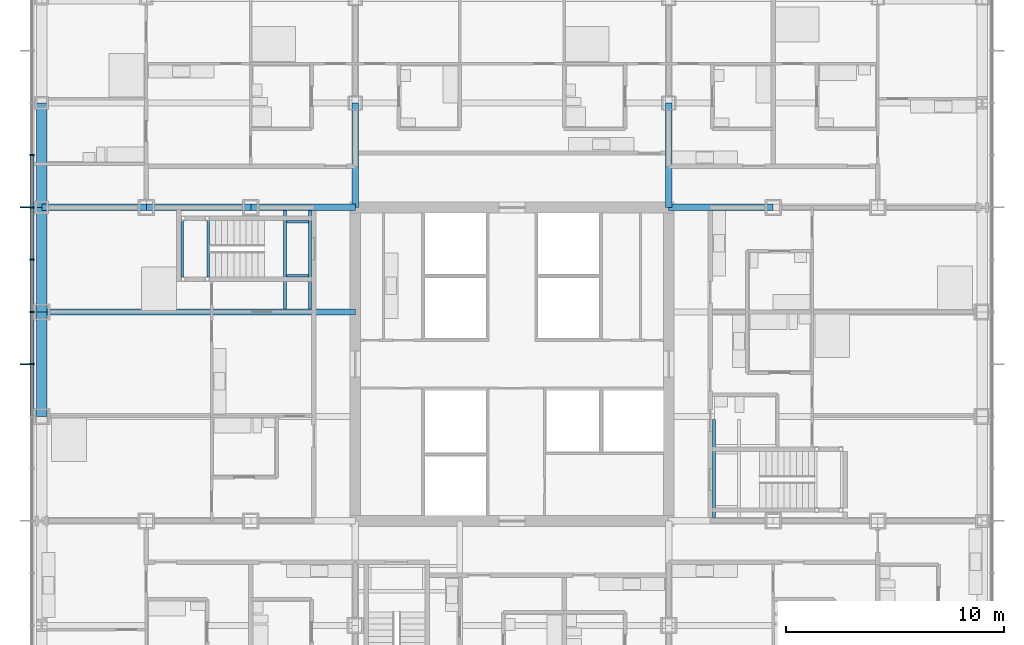
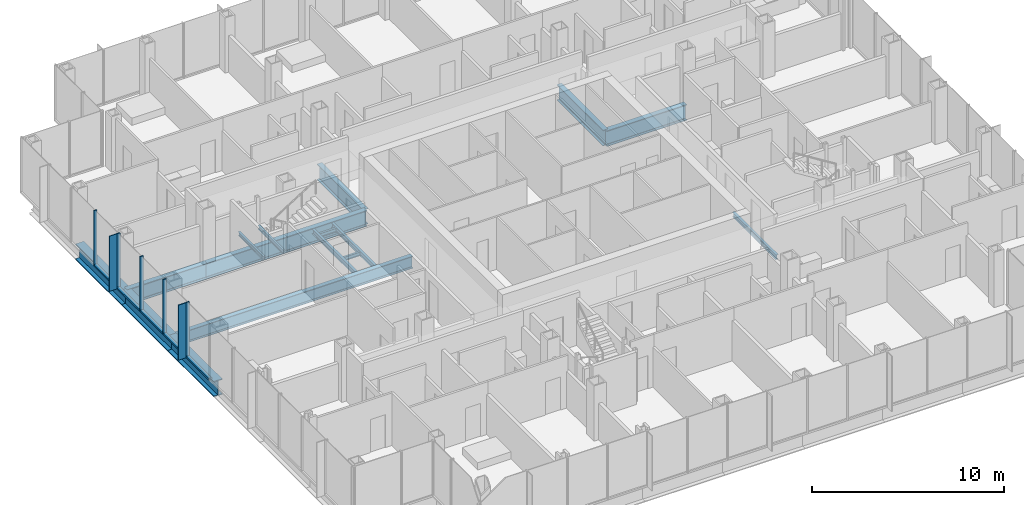
# One storey, part 8 of 21: 17 beams, 12 members, 1 element without a shape of its own.
"""IFC4 building model written with IfcOpenShell, lengths in metres."""

from ifc_helpers import new_model, si_unit, direction, frame, origin, origin_2d, place, context, subcontext, project, spatial, rectangle, i_section, extrude, material, material_profile, profile_set, type_object, element, aggregate, save


model = new_model("IFC4")

# Units and contexts
model_context = context("Model", 3, precision=1e-05, world=origin(), true_north=direction((0.0, 1.0)))
body_context = subcontext(model_context, "Body", "Model", "MODEL_VIEW")
ifc_project = project(units=[si_unit("LENGTHUNIT", "METRE"), si_unit("AREAUNIT", "SQUARE_METRE"), si_unit("VOLUMEUNIT", "CUBIC_METRE"), si_unit("PLANEANGLEUNIT", "RADIAN"), si_unit("MASSUNIT", "GRAM", prefix="KILO")], contexts=[model_context])

# Site, building, storey
site_placement = place(None, origin())
site = spatial("IfcSite", under=ifc_project, at=site_placement, CompositionType="ELEMENT")
building_placement = place(site_placement, origin())
building = spatial("IfcBuilding", under=site, at=building_placement, Name="Kvirike Care Tower", CompositionType="ELEMENT")
storey_placement = place(building_placement, frame((0.0, 0.0, 37.5)))
storey = spatial("IfcBuildingStorey", under=building, at=storey_placement, Name="L09", CompositionType="ELEMENT", Elevation=37.5)

# Curtain wall, members
ifc_material_1 = material(Name="Anodised aluminium stick system", Category="aluminium")
curtain_wall_type = type_object("IfcCurtainWallType", Name="CW-A STICK CURTAIN WALL", PredefinedType="NOTDEFINED", material=ifc_material_1)
curtain_wall_placement = place(storey_placement, origin())
curtain_wall = element("IfcCurtainWall", 1, at=curtain_wall_placement, inside=storey, type_object=curtain_wall_type, Name="Curtain wall L09 face 1", PredefinedType="NOTDEFINED")
ifc_material_2 = material(Name="Bronze anodised aluminium fin", Category="aluminium")
ifc_material_profile_1 = material_profile(ifc_material_2, rectangle(XDim=0.050048828125, YDim=0.449951171875, at=origin_2d()), Name="BRONZE FIN 450")
ifc_profile_set_1 = profile_set([ifc_material_profile_1], Name="Bronze anodised aluminium fin")
member_type_1 = type_object("IfcMemberType", Name="BRONZE FIN 450", PredefinedType="USERDEFINED", material=ifc_profile_set_1)
member_1_placement = place(storey_placement, frame((-0.77490234375, 43.199951171875, 0.0), z_axis=(0.0, 0.0, 1.0), x_axis=(0.0, -1.0, 0.0)))
member_1 = element("IfcMember", 2, at=member_1_placement, type_object=member_type_1, Name="Bronze fin L09 face 1.5", ObjectType="FIN", PredefinedType="USERDEFINED", context=body_context, shape_type="SweptSolid", body=[
    extrude(rectangle(XDim=0.050048828125, YDim=0.449951171875, at=origin_2d()), origin(), (0.0, 0.0, 1.0), 3.5),
])
member_2_placement = place(storey_placement, frame((-0.77490234375, 36.0, 0.0), z_axis=(0.0, 0.0, 1.0), x_axis=(0.0, -1.0, 0.0)))
member_2 = element("IfcMember", 3, at=member_2_placement, type_object=member_type_1, Name="Bronze fin L09 face 1.8", ObjectType="FIN", PredefinedType="USERDEFINED", context=body_context, shape_type="SweptSolid", body=[
    extrude(rectangle(XDim=0.050048828125, YDim=0.449951171875, at=origin_2d()), origin(), (0.0, 0.0, 1.0), 3.5),
])
ifc_material_3 = material(Name="Bronze anodised aluminium mullion", Category="aluminium")
ifc_material_profile_2 = material_profile(ifc_material_3, rectangle(XDim=0.06494140625, YDim=0.199951171875, at=origin_2d()), Name="CW-A MULLION 65x200")
ifc_profile_set_2 = profile_set([ifc_material_profile_2], Name="Bronze anodised aluminium mullion")
member_type_2 = type_object("IfcMemberType", Name="CW-A MULLION 65x200", PredefinedType="MULLION", material=ifc_profile_set_2)
member_3_placement = place(storey_placement, frame((-0.449951171875, 45.60009765625, 0.0), z_axis=(0.0, 0.0, 1.0), x_axis=(0.0, -1.0, 0.0)))
member_3 = element("IfcMember", 4, at=member_3_placement, type_object=member_type_2, Name="CW-A mullion L09 face 1.4", PredefinedType="MULLION", context=body_context, shape_type="SweptSolid", body=[
    extrude(rectangle(XDim=0.06494140625, YDim=0.199951171875, at=origin_2d()), origin(), (0.0, 0.0, 1.0), 3.5),
])
member_4_placement = place(storey_placement, frame((-0.449951171875, 43.199951171875, 0.0), z_axis=(0.0, 0.0, 1.0), x_axis=(0.0, -1.0, 0.0)))
member_4 = element("IfcMember", 5, at=member_4_placement, type_object=member_type_2, Name="CW-A mullion L09 face 1.5", PredefinedType="MULLION", context=body_context, shape_type="SweptSolid", body=[
    extrude(rectangle(XDim=0.06494140625, YDim=0.199951171875, at=origin_2d()), origin(), (0.0, 0.0, 1.0), 3.5),
])
member_5_placement = place(storey_placement, frame((-0.449951171875, 40.800048828125, 0.0), z_axis=(0.0, 0.0, 1.0), x_axis=(0.0, -1.0, 0.0)))
member_5 = element("IfcMember", 6, at=member_5_placement, type_object=member_type_2, Name="CW-A mullion L09 face 1.6", PredefinedType="MULLION", context=body_context, shape_type="SweptSolid", body=[
    extrude(rectangle(XDim=0.06494140625, YDim=0.199951171875, at=origin_2d()), origin(), (0.0, 0.0, 1.0), 3.5),
])
member_6_placement = place(storey_placement, frame((-0.449951171875, 38.39990234375, 0.0), z_axis=(0.0, 0.0, 1.0), x_axis=(0.0, -1.0, 0.0)))
member_6 = element("IfcMember", 7, at=member_6_placement, type_object=member_type_2, Name="CW-A mullion L09 face 1.7", PredefinedType="MULLION", context=body_context, shape_type="SweptSolid", body=[
    extrude(rectangle(XDim=0.06494140625, YDim=0.199951171875, at=origin_2d()), origin(), (0.0, 0.0, 1.0), 3.5),
])
member_7_placement = place(storey_placement, frame((-0.449951171875, 36.0, 0.0), z_axis=(0.0, 0.0, 1.0), x_axis=(0.0, -1.0, 0.0)))
member_7 = element("IfcMember", 8, at=member_7_placement, type_object=member_type_2, Name="CW-A mullion L09 face 1.8", PredefinedType="MULLION", context=body_context, shape_type="SweptSolid", body=[
    extrude(rectangle(XDim=0.06494140625, YDim=0.199951171875, at=origin_2d()), origin(), (0.0, 0.0, 1.0), 3.5),
])
ifc_material_4 = material(Name="Bronze anodised aluminium transom", Category="aluminium")
ifc_material_profile_3 = material_profile(ifc_material_4, rectangle(XDim=0.199951171875, YDim=0.10009765625, at=origin_2d()), Name="CW-A TRANSOM 200x100")
ifc_profile_set_3 = profile_set([ifc_material_profile_3], Name="Bronze anodised aluminium transom")
member_type_3 = type_object("IfcMemberType", Name="CW-A TRANSOM 200x100", PredefinedType="USERDEFINED", material=ifc_profile_set_3)
member_8_placement = place(storey_placement, frame((-0.449951171875, 45.5673828125, 0.050048828125), z_axis=(0.0, -1.0, 0.0), x_axis=(1.0, 0.0, 0.0)))
member_8 = element("IfcMember", 9, at=member_8_placement, type_object=member_type_3, Name="CW-A sill transom L09 face 1.4", ObjectType="TRANSOM", PredefinedType="USERDEFINED", context=body_context, shape_type="SweptSolid", body=[
    extrude(rectangle(XDim=0.199951171875, YDim=0.10009765625, at=origin_2d()), origin(), (0.0, 0.0, 1.0), 2.3349609375),
])
member_9_placement = place(storey_placement, frame((-0.449951171875, 43.16748046875, 0.050048828125), z_axis=(0.0, -1.0, 0.0), x_axis=(1.0, 0.0, 0.0)))
member_9 = element("IfcMember", 10, at=member_9_placement, type_object=member_type_3, Name="CW-A sill transom L09 face 1.5", ObjectType="TRANSOM", PredefinedType="USERDEFINED", context=body_context, shape_type="SweptSolid", body=[
    extrude(rectangle(XDim=0.199951171875, YDim=0.10009765625, at=origin_2d()), origin(), (0.0, 0.0, 1.0), 2.3349609375),
])
member_10_placement = place(storey_placement, frame((-0.449951171875, 40.767578125, 0.050048828125), z_axis=(0.0, -1.0, 0.0), x_axis=(1.0, 0.0, 0.0)))
member_10 = element("IfcMember", 11, at=member_10_placement, type_object=member_type_3, Name="CW-A sill transom L09 face 1.6", ObjectType="TRANSOM", PredefinedType="USERDEFINED", context=body_context, shape_type="SweptSolid", body=[
    extrude(rectangle(XDim=0.199951171875, YDim=0.10009765625, at=origin_2d()), origin(), (0.0, 0.0, 1.0), 2.3349609375),
])
member_11_placement = place(storey_placement, frame((-0.449951171875, 38.367431640625, 0.050048828125), z_axis=(0.0, -1.0, 0.0), x_axis=(1.0, 0.0, 0.0)))
member_11 = element("IfcMember", 12, at=member_11_placement, type_object=member_type_3, Name="CW-A sill transom L09 face 1.7", ObjectType="TRANSOM", PredefinedType="USERDEFINED", context=body_context, shape_type="SweptSolid", body=[
    extrude(rectangle(XDim=0.199951171875, YDim=0.10009765625, at=origin_2d()), origin(), (0.0, 0.0, 1.0), 2.3349609375),
])
member_12_placement = place(storey_placement, frame((-0.449951171875, 35.967529296875, 0.050048828125), z_axis=(0.0, -1.0, 0.0), x_axis=(1.0, 0.0, 0.0)))
member_12 = element("IfcMember", 13, at=member_12_placement, type_object=member_type_3, Name="CW-A sill transom L09 face 1.8", ObjectType="TRANSOM", PredefinedType="USERDEFINED", context=body_context, shape_type="SweptSolid", body=[
    extrude(rectangle(XDim=0.199951171875, YDim=0.10009765625, at=origin_2d()), origin(), (0.0, 0.0, 1.0), 2.3349609375),
])
aggregate(curtain_wall, [member_3, member_4, member_1, member_5, member_6, member_7, member_2, member_8, member_9, member_10, member_11, member_12])

# Beams
ifc_material_5 = material(Name="Steel S355", Category="steel")
ifc_material_profile_4 = material_profile(ifc_material_5, i_section(OverallWidth=0.26806640625, OverallDepth=0.77001953125, WebThickness=0.015625, FlangeThickness=0.025390625, FilletRadius=0.01708984375, at=origin_2d()), Name="IPE 750x196")
ifc_profile_set_4 = profile_set([ifc_material_profile_4], Name="Steel S355")
beam_type_1 = type_object("IfcBeamType", Name="FLOOR BEAM IPE 750x196", PredefinedType="BEAM", material=ifc_profile_set_4)
beam_1_placement = place(storey_placement, frame((0.0, 38.39990234375, -0.554931640625), z_axis=(1.0, 0.0, 0.0), x_axis=(0.0, 1.0, 0.0)))
element("IfcBeam", 14, at=beam_1_placement, inside=storey, type_object=beam_type_1, Name="Floor Beam J3-J6 L09", PredefinedType="BEAM", context=body_context, shape_type="SweptSolid", body=[
    extrude(i_section(OverallWidth=0.26806640625, OverallDepth=0.77001953125, WebThickness=0.015625, FlangeThickness=0.025390625, FilletRadius=0.01708984375, at=origin_2d()), origin(), (0.0, 0.0, 1.0), 14.39990234375),
])
ifc_material_6 = material(Name="Steel S355", Category="steel")
ifc_material_profile_5 = material_profile(ifc_material_6, i_section(OverallWidth=0.300048828125, OverallDepth=1.0, WebThickness=0.01904296875, FlangeThickness=0.035888671875, FilletRadius=0.030029296875, at=origin_2d()), Name="HE 1000 B")
ifc_profile_set_5 = profile_set([ifc_material_profile_5], Name="Steel S355")
beam_type_2 = type_object("IfcBeamType", Name="FRAME BEAM HE 1000 B", PredefinedType="BEAM", material=ifc_profile_set_5)
for number, where, z_axis, x_axis, name in (
    (15, (0.0, 43.199951171875, -0.669921875), (1.0, 0.0, 0.0), (0.0, 1.0, 0.0), "Frame Beam K3-K4 L09"),
    (16, (4.800048828125, 43.199951171875, -0.669921875), (1.0, 0.0, 0.0), (0.0, 1.0, 0.0), "Frame Beam K4-K5 L09"),
):
    element("IfcBeam", number, at=place(storey_placement, frame(where, z_axis=z_axis, x_axis=x_axis)), inside=storey, type_object=beam_type_2, Name=name, PredefinedType="BEAM", context=body_context, shape_type="SweptSolid", body=[
        extrude(i_section(OverallWidth=0.300048828125, OverallDepth=1.0, WebThickness=0.01904296875, FlangeThickness=0.035888671875, FilletRadius=0.030029296875, at=origin_2d()), origin(), (0.0, 0.0, 1.0), 4.800048828125),
    ])
beam_2_placement = place(storey_placement, frame((9.60009765625, 43.199951171875, -0.669921875), z_axis=(1.0, 0.0, 0.0), x_axis=(0.0, 1.0, 0.0)))
element("IfcBeam", 17, at=beam_2_placement, inside=storey, type_object=beam_type_2, Name="Frame Beam K5-K6 L09", PredefinedType="BEAM", context=body_context, shape_type="SweptSolid", body=[
    extrude(i_section(OverallWidth=0.300048828125, OverallDepth=1.0, WebThickness=0.01904296875, FlangeThickness=0.035888671875, FilletRadius=0.030029296875, at=origin_2d()), origin(), (0.0, 0.0, 1.0), 4.7998046875),
])
for number, where, z_axis, x_axis, name in (
    (18, (28.800048828125, 43.199951171875, -0.669921875), (1.0, 0.0, 0.0), (0.0, 1.0, 0.0), "Frame Beam K9-K10 L09"),
    (19, (14.39990234375, 43.199951171875, -0.669921875), (0.0, 1.0, 0.0), (-1.0, 0.0, 0.0), "Frame Beam K6-L6 L09"),
    (20, (28.800048828125, 43.199951171875, -0.669921875), (0.0, 1.0, 0.0), (-1.0, 0.0, 0.0), "Frame Beam K9-L9 L09"),
):
    element("IfcBeam", number, at=place(storey_placement, frame(where, z_axis=z_axis, x_axis=x_axis)), inside=storey, type_object=beam_type_2, Name=name, PredefinedType="BEAM", context=body_context, shape_type="SweptSolid", body=[
        extrude(i_section(OverallWidth=0.300048828125, OverallDepth=1.0, WebThickness=0.01904296875, FlangeThickness=0.035888671875, FilletRadius=0.030029296875, at=origin_2d()), origin(), (0.0, 0.0, 1.0), 4.800048828125),
    ])
ifc_material_7 = material(Name="Steel S355", Category="steel")
ifc_material_profile_6 = material_profile(ifc_material_7, i_section(OverallWidth=0.5, OverallDepth=1.0, WebThickness=0.030029296875, FlangeThickness=0.06005859375, at=origin_2d()), Name="PG 1000x500x30x60")
ifc_profile_set_6 = profile_set([ifc_material_profile_6], Name="Steel S355")
beam_type_3 = type_object("IfcBeamType", Name="SPANDREL PG 1000x500x30x60", PredefinedType="SPANDREL", material=ifc_profile_set_6)
beam_3_placement = place(storey_placement, frame((0.0, 33.60009765625, -0.669921875), z_axis=(0.0, 1.0, 0.0), x_axis=(-1.0, 0.0, 0.0)))
element("IfcBeam", 21, at=beam_3_placement, inside=storey, type_object=beam_type_3, Name="Spandrel H3-J3 L09", PredefinedType="SPANDREL", context=body_context, shape_type="SweptSolid", body=[
    extrude(i_section(OverallWidth=0.5, OverallDepth=1.0, WebThickness=0.030029296875, FlangeThickness=0.06005859375, at=origin_2d()), origin(), (0.0, 0.0, 1.0), 4.7998046875),
])
for number, where, z_axis, x_axis, name in (
    (22, (0.0, 38.39990234375, -0.669921875), (0.0, 1.0, 0.0), (-1.0, 0.0, 0.0), "Spandrel J3-K3 L09"),
    (23, (0.0, 43.199951171875, -0.669921875), (0.0, 1.0, 0.0), (-1.0, 0.0, 0.0), "Spandrel K3-L3 L09"),
):
    element("IfcBeam", number, at=place(storey_placement, frame(where, z_axis=z_axis, x_axis=x_axis)), inside=storey, type_object=beam_type_3, Name=name, PredefinedType="SPANDREL", context=body_context, shape_type="SweptSolid", body=[
        extrude(i_section(OverallWidth=0.5, OverallDepth=1.0, WebThickness=0.030029296875, FlangeThickness=0.06005859375, at=origin_2d()), origin(), (0.0, 0.0, 1.0), 4.800048828125),
    ])
ifc_material_8 = material(Name="Steel S355", Category="steel")
ifc_material_profile_7 = material_profile(ifc_material_8, i_section(OverallWidth=0.1201171875, OverallDepth=0.239990234375, WebThickness=0.006103515625, FlangeThickness=0.009765625, FilletRadius=0.014892578125, at=origin_2d()), Name="IPE 240")
ifc_profile_set_7 = profile_set([ifc_material_profile_7], Name="Steel S355")
beam_type_4 = type_object("IfcBeamType", Name="STAIR LANDING BEAM IPE 240", PredefinedType="BEAM", material=ifc_profile_set_7)
for number, where, z_axis, x_axis, name in (
    (24, (6.4599609375, 42.60009765625, 1.429931640625), (0.0, -1.0, 0.0), (1.0, 0.0, 0.0), "Stair 1 landing beam back L09"),
    (25, (7.639892578125, 42.60009765625, 1.429931640625), (0.0, -1.0, 0.0), (1.0, 0.0, 0.0), "Stair 1 landing beam front L09"),
):
    element("IfcBeam", number, at=place(storey_placement, frame(where, z_axis=z_axis, x_axis=x_axis)), inside=storey, type_object=beam_type_4, Name=name, PredefinedType="BEAM", context=body_context, shape_type="SweptSolid", body=[
        extrude(i_section(OverallWidth=0.1201171875, OverallDepth=0.239990234375, WebThickness=0.006103515625, FlangeThickness=0.009765625, FilletRadius=0.014892578125, at=origin_2d()), origin(), (0.0, 0.0, 1.0), 2.60009765625),
    ])
for number, where, z_axis, x_axis, name in (
    (26, (11.25, 42.5400390625, -0.320068359375), (1.0, 0.0, 0.0), (0.0, 1.0, 0.0), "Stair 1 landing edge beam 1 L09"),
    (27, (11.25, 40.06005859375, -0.320068359375), (1.0, 0.0, 0.0), (0.0, 1.0, 0.0), "Stair 1 landing edge beam 2 L09"),
):
    element("IfcBeam", number, at=place(storey_placement, frame(where, z_axis=z_axis, x_axis=x_axis)), inside=storey, type_object=beam_type_4, Name=name, PredefinedType="BEAM", context=body_context, shape_type="SweptSolid", body=[
        extrude(i_section(OverallWidth=0.1201171875, OverallDepth=0.239990234375, WebThickness=0.006103515625, FlangeThickness=0.009765625, FilletRadius=0.014892578125, at=origin_2d()), origin(), (0.0, 0.0, 1.0), 1.0),
    ])
ifc_material_9 = material(Name="Steel S355", Category="steel")
ifc_material_profile_8 = material_profile(ifc_material_9, i_section(OverallWidth=0.14990234375, OverallDepth=0.300048828125, WebThickness=0.007080078125, FlangeThickness=0.0107421875, FilletRadius=0.014892578125, at=origin_2d()), Name="IPE 300")
ifc_profile_set_8 = profile_set([ifc_material_profile_8], Name="Steel S355")
beam_type_5 = type_object("IfcBeamType", Name="STAIR TRIMMER IPE 300", PredefinedType="BEAM", material=ifc_profile_set_8)
for number, where, z_axis, x_axis, name in (
    (28, (11.175048828125, 43.050048828125, -0.35009765625), (0.0, -1.0, 0.0), (1.0, 0.0, 0.0), "Stair 1 trimmer 1 L09"),
    (29, (12.324951171875, 43.050048828125, -0.35009765625), (0.0, -1.0, 0.0), (1.0, 0.0, 0.0), "Stair 1 trimmer 2 L09"),
    (30, (30.875, 28.949951171875, -0.35009765625), (0.0, 1.0, 0.0), (-1.0, 0.0, 0.0), "Stair 2 trimmer 2 L09"),
):
    element("IfcBeam", number, at=place(storey_placement, frame(where, z_axis=z_axis, x_axis=x_axis)), inside=storey, type_object=beam_type_5, Name=name, PredefinedType="BEAM", context=body_context, shape_type="SweptSolid", body=[
        extrude(i_section(OverallWidth=0.14990234375, OverallDepth=0.300048828125, WebThickness=0.007080078125, FlangeThickness=0.0107421875, FilletRadius=0.014892578125, at=origin_2d()), origin(), (0.0, 0.0, 1.0), 4.51611328125),
    ])

save(model, "model.ifc")
